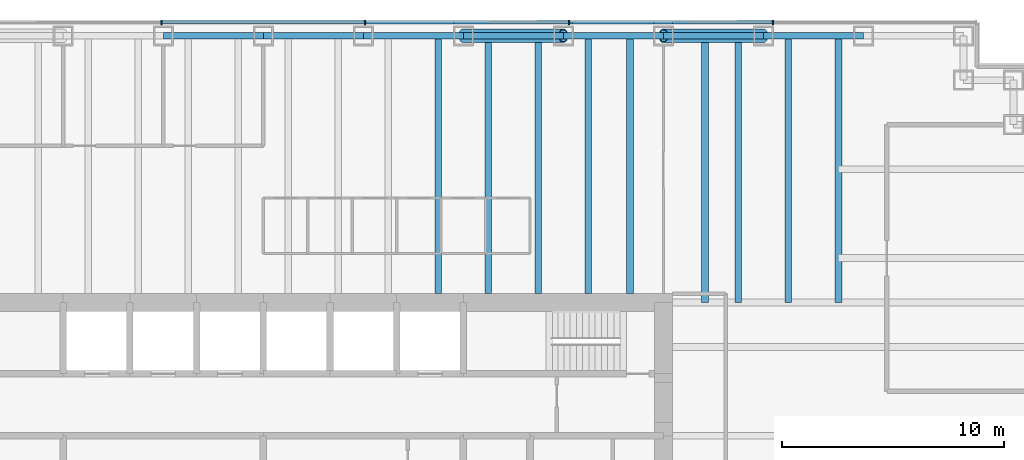
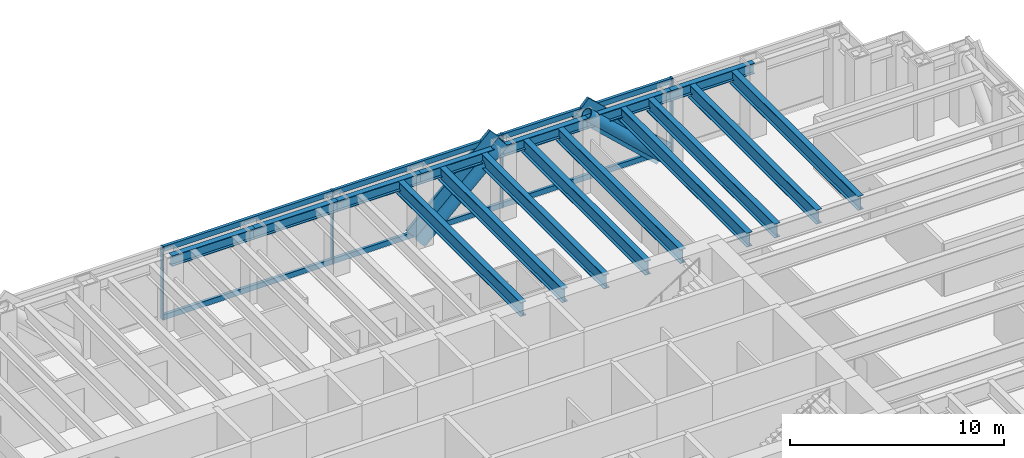
# One storey, part 6 of 14: 16 beams, 14 members, 1 element without a shape of its own.
"""IFC4 building model written with IfcOpenShell, lengths in metres."""

from ifc_helpers import new_model, si_unit, direction, frame, origin, origin_2d, place, context, subcontext, project, spatial, rectangle, hollow_circle, i_section, extrude, material, material_profile, profile_set, type_object, element, aggregate, save


model = new_model("IFC4")

# Units and contexts
model_context = context("Model", 3, precision=1e-05, world=origin(), true_north=direction((0.0, 1.0)))
body_context = subcontext(model_context, "Body", "Model", "MODEL_VIEW")
ifc_project = project(units=[si_unit("LENGTHUNIT", "METRE"), si_unit("AREAUNIT", "SQUARE_METRE"), si_unit("VOLUMEUNIT", "CUBIC_METRE"), si_unit("PLANEANGLEUNIT", "RADIAN"), si_unit("MASSUNIT", "GRAM", prefix="KILO")], contexts=[model_context])

# Site, building, storey
site_placement = place(None, origin())
site = spatial("IfcSite", under=ifc_project, at=site_placement, CompositionType="ELEMENT")
building_placement = place(site_placement, origin())
building = spatial("IfcBuilding", under=site, at=building_placement, Name="Rheinbord Bourse Tower", CompositionType="ELEMENT")
storey_placement = place(building_placement, frame((0.0, 0.0, 253.0)))
storey = spatial("IfcBuildingStorey", under=building, at=storey_placement, Name="L57", CompositionType="ELEMENT", Elevation=253.0)

# Curtain wall, members
ifc_material_1 = material(Name="Dark glass and black aluminium", Category="aluminium")
curtain_wall_type = type_object("IfcCurtainWallType", Name="CW2 DARK GLASS CURTAIN WALL", PredefinedType="USERDEFINED", material=ifc_material_1)
curtain_wall_placement = place(storey_placement, origin())
curtain_wall = element("IfcCurtainWall", 1, at=curtain_wall_placement, inside=storey, type_object=curtain_wall_type, Name="Curtain wall CW2 N L57", ObjectType="UNITISED CURTAIN WALL", PredefinedType="USERDEFINED")
ifc_material_2 = material(Name="Black anodised aluminium", Category="aluminium")
ifc_material_profile_1 = material_profile(ifc_material_2, rectangle(XDim=0.159912109375, YDim=1.2099609375, at=origin_2d()), Name="CW2 DIAGONAL MULLION 1210x160")
ifc_profile_set_1 = profile_set([ifc_material_profile_1], Name="Black anodised aluminium")
member_type_1 = type_object("IfcMemberType", Name="CW2 BLACK DIAGONAL MULLION", PredefinedType="USERDEFINED", material=ifc_profile_set_1)
member_1_placement = place(storey_placement, frame((58.5, 44.60009765625, 0.0), z_axis=(-0.73105922506, 0.0, 0.682314010889), x_axis=(0.0, -1.0, 0.0)))
member_1 = element("IfcMember", 2, at=member_1_placement, type_object=member_type_1, Name="CW2 diagonal mullion b", ObjectType="DIAGONAL MULLION", PredefinedType="USERDEFINED", context=body_context, shape_type="SweptSolid", body=[
    extrude(rectangle(XDim=0.159912109375, YDim=1.2099609375, at=origin_2d()), origin(), (0.0, 0.0, 1.0), 6.155517578125),
])
member_2_placement = place(storey_placement, frame((45.0, 44.60009765625, 0.0), z_axis=(0.73105922506, 0.0, 0.682314010889), x_axis=(0.0, 1.0, 0.0)))
member_2 = element("IfcMember", 3, at=member_2_placement, type_object=member_type_1, Name="CW2 diagonal mullion c", ObjectType="DIAGONAL MULLION", PredefinedType="USERDEFINED", context=body_context, shape_type="SweptSolid", body=[
    extrude(rectangle(XDim=0.159912109375, YDim=1.2099609375, at=origin_2d()), origin(), (0.0, 0.0, 1.0), 6.155517578125),
])
ifc_material_3 = material(Name="Black anodised aluminium", Category="aluminium")
ifc_material_profile_2 = material_profile(ifc_material_3, rectangle(XDim=0.219970703125, YDim=0.070068359375, at=origin_2d()), Name="CW2 MULLION 70x220")
ifc_profile_set_2 = profile_set([ifc_material_profile_2], Name="Black anodised aluminium")
member_type_2 = type_object("IfcMemberType", Name="CW2 BLACK MULLION", PredefinedType="MULLION", material=ifc_profile_set_2)
member_3_placement = place(storey_placement, frame((58.928466796875, 44.60009765625, 0.0), z_axis=(0.0, 0.0, 1.0), x_axis=(0.0, -1.0, 0.0)))
member_3 = element("IfcMember", 4, at=member_3_placement, type_object=member_type_2, Name="CW2 mullion 2", PredefinedType="MULLION", context=body_context, shape_type="SweptSolid", body=[
    extrude(rectangle(XDim=0.219970703125, YDim=0.070068359375, at=origin_2d()), origin(), (0.0, 0.0, 1.0), 4.199951171875),
])
member_4_placement = place(storey_placement, frame((49.757080078125, 44.60009765625, 0.0), z_axis=(0.0, 0.0, 1.0), x_axis=(0.0, -1.0, 0.0)))
member_4 = element("IfcMember", 5, at=member_4_placement, type_object=member_type_2, Name="CW2 mullion 3", PredefinedType="MULLION", context=body_context, shape_type="SweptSolid", body=[
    extrude(rectangle(XDim=0.219970703125, YDim=0.070068359375, at=origin_2d()), origin(), (0.0, 0.0, 1.0), 4.199951171875),
])
member_5_placement = place(storey_placement, frame((40.585693359375, 44.60009765625, 0.0), z_axis=(0.0, 0.0, 1.0), x_axis=(0.0, -1.0, 0.0)))
member_5 = element("IfcMember", 6, at=member_5_placement, type_object=member_type_2, Name="CW2 mullion 4", PredefinedType="MULLION", context=body_context, shape_type="SweptSolid", body=[
    extrude(rectangle(XDim=0.219970703125, YDim=0.070068359375, at=origin_2d()), origin(), (0.0, 0.0, 1.0), 4.199951171875),
])
member_6_placement = place(storey_placement, frame((31.414306640625, 44.60009765625, 0.0), z_axis=(0.0, 0.0, 1.0), x_axis=(0.0, -1.0, 0.0)))
member_6 = element("IfcMember", 7, at=member_6_placement, type_object=member_type_2, Name="CW2 mullion 5", PredefinedType="MULLION", context=body_context, shape_type="SweptSolid", body=[
    extrude(rectangle(XDim=0.219970703125, YDim=0.070068359375, at=origin_2d()), origin(), (0.0, 0.0, 1.0), 4.199951171875),
])
ifc_material_4 = material(Name="Black anodised aluminium", Category="aluminium")
ifc_material_profile_3 = material_profile(ifc_material_4, rectangle(XDim=0.159912109375, YDim=0.300048828125, at=origin_2d()), Name="CW2 TRANSOM 300x160")
ifc_profile_set_3 = profile_set([ifc_material_profile_3], Name="Black anodised aluminium")
member_type_3 = type_object("IfcMemberType", Name="CW2 BLACK TRANSOM", PredefinedType="USERDEFINED", material=ifc_profile_set_3)
member_7_placement = place(storey_placement, frame((58.8935546875, 44.60009765625, 0.14990234375), z_axis=(-1.0, 0.0, 0.0), x_axis=(0.0, -1.0, 0.0)))
member_7 = element("IfcMember", 8, at=member_7_placement, type_object=member_type_3, Name="CW2 transom 2.1", ObjectType="TRANSOM", PredefinedType="USERDEFINED", context=body_context, shape_type="SweptSolid", body=[
    extrude(rectangle(XDim=0.159912109375, YDim=0.300048828125, at=origin_2d()), origin(), (0.0, 0.0, 1.0), 9.101318359375),
])
member_8_placement = place(storey_placement, frame((58.8935546875, 44.60009765625, 4.050048828125), z_axis=(-1.0, 0.0, 0.0), x_axis=(0.0, -1.0, 0.0)))
member_8 = element("IfcMember", 9, at=member_8_placement, type_object=member_type_3, Name="CW2 transom 2.2", ObjectType="TRANSOM", PredefinedType="USERDEFINED", context=body_context, shape_type="SweptSolid", body=[
    extrude(rectangle(XDim=0.159912109375, YDim=0.300048828125, at=origin_2d()), origin(), (0.0, 0.0, 1.0), 9.101318359375),
])
member_9_placement = place(storey_placement, frame((49.72216796875, 44.60009765625, 0.14990234375), z_axis=(-1.0, 0.0, 0.0), x_axis=(0.0, -1.0, 0.0)))
member_9 = element("IfcMember", 10, at=member_9_placement, type_object=member_type_3, Name="CW2 transom 3.1", ObjectType="TRANSOM", PredefinedType="USERDEFINED", context=body_context, shape_type="SweptSolid", body=[
    extrude(rectangle(XDim=0.159912109375, YDim=0.300048828125, at=origin_2d()), origin(), (0.0, 0.0, 1.0), 9.1015625),
])
member_10_placement = place(storey_placement, frame((49.72216796875, 44.60009765625, 4.050048828125), z_axis=(-1.0, 0.0, 0.0), x_axis=(0.0, -1.0, 0.0)))
member_10 = element("IfcMember", 11, at=member_10_placement, type_object=member_type_3, Name="CW2 transom 3.2", ObjectType="TRANSOM", PredefinedType="USERDEFINED", context=body_context, shape_type="SweptSolid", body=[
    extrude(rectangle(XDim=0.159912109375, YDim=0.300048828125, at=origin_2d()), origin(), (0.0, 0.0, 1.0), 9.1015625),
])
member_11_placement = place(storey_placement, frame((40.55078125, 44.60009765625, 0.14990234375), z_axis=(-1.0, 0.0, 0.0), x_axis=(0.0, -1.0, 0.0)))
member_11 = element("IfcMember", 12, at=member_11_placement, type_object=member_type_3, Name="CW2 transom 4.1", ObjectType="TRANSOM", PredefinedType="USERDEFINED", context=body_context, shape_type="SweptSolid", body=[
    extrude(rectangle(XDim=0.159912109375, YDim=0.300048828125, at=origin_2d()), origin(), (0.0, 0.0, 1.0), 9.1015625),
])
member_12_placement = place(storey_placement, frame((40.55078125, 44.60009765625, 4.050048828125), z_axis=(-1.0, 0.0, 0.0), x_axis=(0.0, -1.0, 0.0)))
member_12 = element("IfcMember", 13, at=member_12_placement, type_object=member_type_3, Name="CW2 transom 4.2", ObjectType="TRANSOM", PredefinedType="USERDEFINED", context=body_context, shape_type="SweptSolid", body=[
    extrude(rectangle(XDim=0.159912109375, YDim=0.300048828125, at=origin_2d()), origin(), (0.0, 0.0, 1.0), 9.1015625),
])
aggregate(curtain_wall, [member_3, member_4, member_5, member_6, member_7, member_8, member_9, member_10, member_11, member_12, member_1, member_2])

# Beams
ifc_material_5 = material(Name="Steel S460", Category="steel")
ifc_material_profile_4 = material_profile(ifc_material_5, i_section(OverallWidth=0.300048828125, OverallDepth=0.800048828125, WebThickness=0.017578125, FlangeThickness=0.032958984375, at=origin_2d()), Name="HEB 800")
ifc_profile_set_4 = profile_set([ifc_material_profile_4], Name="Steel S460")
beam_type_1 = type_object("IfcBeamType", Name="FLOOR BEAM HEB 800", PredefinedType="BEAM", material=ifc_profile_set_4)
for number, where, z_axis, x_axis, name in (
    (14, (43.875, 44.0, 3.639892578125), (0.0, -1.0, 0.0), (1.0, 0.0, 0.0), "Floor beam N-40.5b L58"),
    (15, (46.125, 44.0, 3.639892578125), (0.0, -1.0, 0.0), (1.0, 0.0, 0.0), "Floor beam N-45a L58"),
    (16, (48.375, 44.0, 3.639892578125), (0.0, -1.0, 0.0), (1.0, 0.0, 0.0), "Floor beam N-45b L58"),
    (17, (50.625, 44.0, 3.639892578125), (0.0, -1.0, 0.0), (1.0, 0.0, 0.0), "Floor beam N-49.5a L58"),
    (18, (52.5, 44.0, 3.639892578125), (0.0, -1.0, 0.0), (1.0, 0.0, 0.0), "Floor beam N-49.5b L58"),
):
    element("IfcBeam", number, at=place(storey_placement, frame(where, z_axis=z_axis, x_axis=x_axis)), inside=storey, type_object=beam_type_1, Name=name, PredefinedType="BEAM", context=body_context, shape_type="SweptSolid", body=[
        extrude(i_section(OverallWidth=0.300048828125, OverallDepth=0.800048828125, WebThickness=0.017578125, FlangeThickness=0.032958984375, at=origin_2d()), origin(), (0.0, 0.0, 1.0), 11.60009765625),
    ])
for number, where, z_axis, x_axis, name in (
    (19, (55.875, 44.0, 3.639892578125), (0.0, -1.0, 0.0), (1.0, 0.0, 0.0), "Floor beam N-54a L58"),
    (20, (57.375, 44.0, 3.639892578125), (0.0, -1.0, 0.0), (1.0, 0.0, 0.0), "Floor beam N-54b L58"),
    (21, (59.625, 44.0, 3.639892578125), (0.0, -1.0, 0.0), (1.0, 0.0, 0.0), "Floor beam N-58.5a L58"),
    (22, (61.875, 44.0, 3.639892578125), (0.0, -1.0, 0.0), (1.0, 0.0, 0.0), "Floor beam N-58.5b L58"),
):
    element("IfcBeam", number, at=place(storey_placement, frame(where, z_axis=z_axis, x_axis=x_axis)), inside=storey, type_object=beam_type_1, Name=name, PredefinedType="BEAM", context=body_context, shape_type="SweptSolid", body=[
        extrude(i_section(OverallWidth=0.300048828125, OverallDepth=0.800048828125, WebThickness=0.017578125, FlangeThickness=0.032958984375, at=origin_2d()), origin(), (0.0, 0.0, 1.0), 12.0),
    ])

# Members
ifc_material_6 = material(Name="Steel S460", Category="steel")
ifc_material_profile_5 = material_profile(ifc_material_6, hollow_circle(Radius=0.304931640625, WallThickness=0.0400390625, at=origin_2d()), Name="CHS 610x40")
ifc_profile_set_5 = profile_set([ifc_material_profile_5], Name="Steel S460")
member_type_4 = type_object("IfcMemberType", Name="MEGABRACE CHS 610x40", PredefinedType="BRACE", material=ifc_profile_set_5)
for number, where, z_axis, x_axis, name in (
    (23, (58.5, 44.0, 0.0), (-0.73105922506, 0.0, 0.682314010889), (0.0, -1.0, 0.0), "Megabrace N face line b L57"),
    (24, (45.0, 44.0, 0.0), (0.73105922506, 0.0, 0.682314010889), (0.0, 1.0, 0.0), "Megabrace N face line c L57"),
):
    element("IfcMember", number, at=place(storey_placement, frame(where, z_axis=z_axis, x_axis=x_axis)), inside=storey, type_object=member_type_4, Name=name, PredefinedType="BRACE", context=body_context, shape_type="SweptSolid", body=[
        extrude(hollow_circle(Radius=0.304931640625, WallThickness=0.0400390625, at=origin_2d()), origin(), (0.0, 0.0, 1.0), 6.155517578125),
    ])

# Beams
ifc_material_7 = material(Name="Steel S460", Category="steel")
ifc_material_profile_6 = material_profile(ifc_material_7, i_section(OverallWidth=0.300048828125, OverallDepth=0.60009765625, WebThickness=0.015380859375, FlangeThickness=0.030029296875, at=origin_2d()), Name="HEB 600")
ifc_profile_set_6 = profile_set([ifc_material_profile_6], Name="Steel S460")
beam_type_2 = type_object("IfcBeamType", Name="SPANDREL HEB 600", PredefinedType="SPANDREL", material=ifc_profile_set_6)
for number, where, z_axis, x_axis, name in (
    (25, (63.0, 44.0, 3.739990234375), (-1.0, 0.0, 0.0), (0.0, -1.0, 0.0), "Spandrel N-63-N-58.5 under L58"),
    (26, (58.5, 44.0, 3.739990234375), (-1.0, 0.0, 0.0), (0.0, -1.0, 0.0), "Spandrel N-58.5-N-54 under L58"),
    (27, (54.0, 44.0, 3.739990234375), (-1.0, 0.0, 0.0), (0.0, -1.0, 0.0), "Spandrel N-54-N-49.5 under L58"),
    (28, (49.5, 44.0, 3.739990234375), (-1.0, 0.0, 0.0), (0.0, -1.0, 0.0), "Spandrel N-49.5-N-45 under L58"),
    (29, (45.0, 44.0, 3.739990234375), (-1.0, 0.0, 0.0), (0.0, -1.0, 0.0), "Spandrel N-45-N-40.5 under L58"),
    (30, (40.5, 44.0, 3.739990234375), (-1.0, 0.0, 0.0), (0.0, -1.0, 0.0), "Spandrel N-40.5-N-36 under L58"),
    (31, (36.0, 44.0, 3.739990234375), (-1.0, 0.0, 0.0), (0.0, -1.0, 0.0), "Spandrel N-36-N-31.5 under L58"),
):
    element("IfcBeam", number, at=place(storey_placement, frame(where, z_axis=z_axis, x_axis=x_axis)), inside=storey, type_object=beam_type_2, Name=name, PredefinedType="SPANDREL", context=body_context, shape_type="SweptSolid", body=[
        extrude(i_section(OverallWidth=0.300048828125, OverallDepth=0.60009765625, WebThickness=0.015380859375, FlangeThickness=0.030029296875, at=origin_2d()), origin(), (0.0, 0.0, 1.0), 4.5),
    ])

save(model, "model.ifc")
